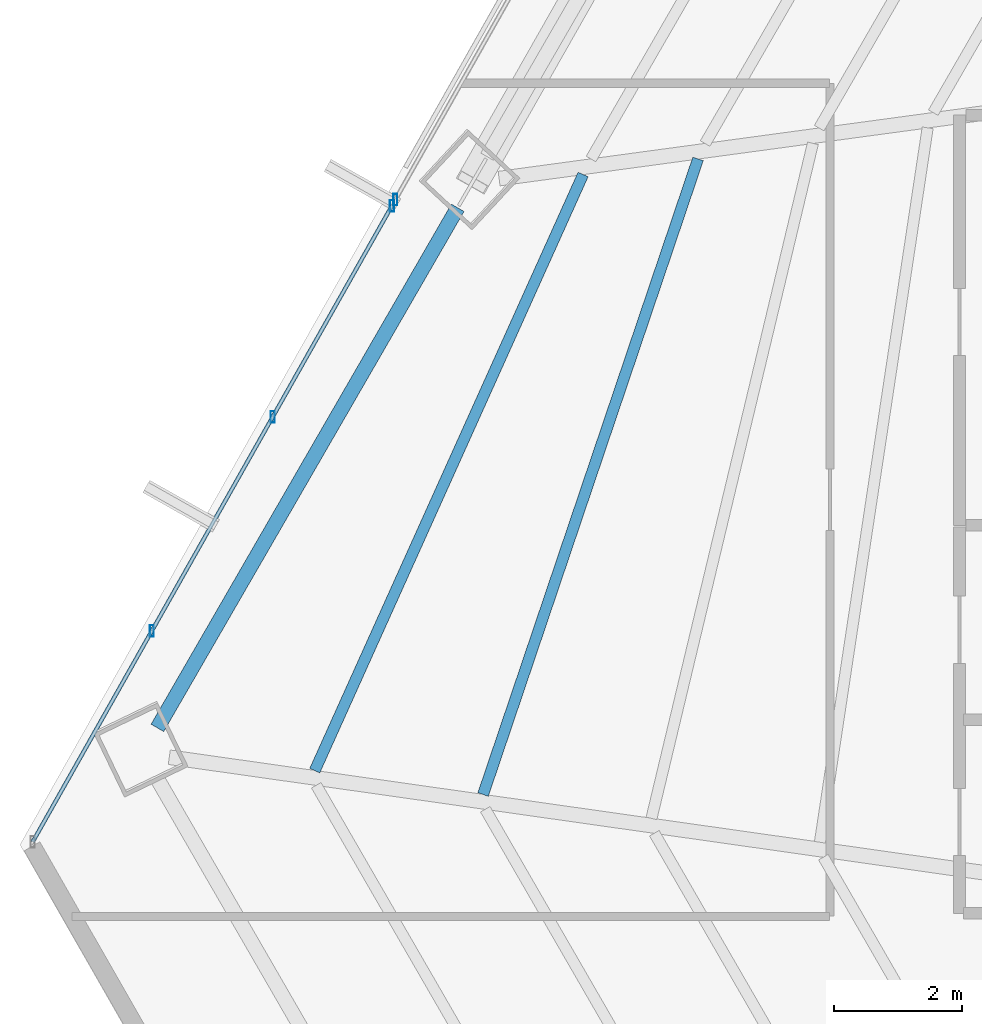
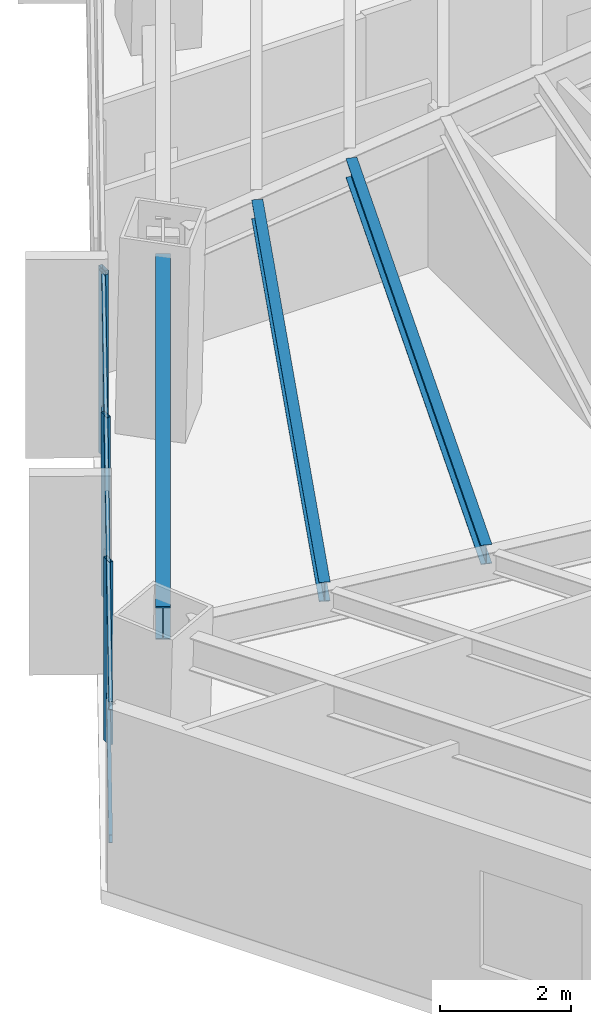
# One storey, part 11 of 36: 6 members, 3 beams, 2 elements without a shape of their own.
"""IFC4 building model written with IfcOpenShell, lengths in metres."""

from ifc_helpers import new_model, si_unit, direction, frame, origin, origin_2d, place, context, subcontext, project, spatial, hollow_rectangle, i_section, extrude, source, transform, mapped, material, material_profile, profile_set, type_object, type_shapes, element, aggregate, save


model = new_model("IFC4")

# Units and contexts
model_context = context("Model", 3, precision=1e-05, world=origin(), true_north=direction((0.0, 1.0)))
body_context = subcontext(model_context, "Body", "Model", "MODEL_VIEW")
ifc_project = project(units=[si_unit("LENGTHUNIT", "METRE"), si_unit("AREAUNIT", "SQUARE_METRE"), si_unit("VOLUMEUNIT", "CUBIC_METRE"), si_unit("PLANEANGLEUNIT", "RADIAN"), si_unit("MASSUNIT", "GRAM", prefix="KILO")], contexts=[model_context])

# Site, building, storey
site_placement = place(None, origin())
site = spatial("IfcSite", under=ifc_project, at=site_placement, CompositionType="ELEMENT")
building_placement = place(site_placement, origin())
building = spatial("IfcBuilding", under=site, at=building_placement, Name="Caelisora Broadcast Tower", CompositionType="ELEMENT")
storey_placement = place(building_placement, frame((0.0, 0.0, 83.5)))
storey = spatial("IfcBuildingStorey", under=building, at=storey_placement, Name="L21", CompositionType="ELEMENT", Elevation=83.5)

# Beams
ifc_material_1 = material(Name="Steel Grade 350 (AS/NZS 3679.1)", Category="steel")
ifc_material_profile_1 = material_profile(ifc_material_1, i_section(OverallWidth=0.22900390625, OverallDepth=0.611572265625, WebThickness=0.011962890625, FlangeThickness=0.01953125, at=origin_2d()), Name="Steel Grade 350 (AS/NZS 3679.1)")
ifc_profile_set_1 = profile_set([ifc_material_profile_1], Name="Steel Grade 350 (AS/NZS 3679.1)")
beam_type_1 = type_object("IfcBeamType", Name="PG03", PredefinedType="BEAM", material=ifc_profile_set_1)
shared_shape_1 = source(origin(), body_context, "Body", "SweptSolid", [
    extrude(i_section(OverallWidth=0.22900390625, OverallDepth=0.611572265625, WebThickness=0.011962890625, FlangeThickness=0.01953125, at=origin_2d()), origin(), (0.0, 0.0, 1.0), 9.36962890625),
])
type_shapes(beam_type_1, [shared_shape_1])
beam_1_placement = place(storey_placement, frame((19.59130859375, 28.15625, 3.09423828125), z_axis=(-0.500003643774, -0.86602330004, 0.0), x_axis=(0.86602330004, -0.500003643774, 0.0)))
element("IfcBeam", 1, at=beam_1_placement, inside=storey, type_object=beam_type_1, Name="L21 beam PG03", PredefinedType="BEAM", context=body_context, shape_type="MappedRepresentation", body=[
    mapped(shared_shape_1, transform((0.0, 0.0, 0.0), scale=1.0)),
])
ifc_material_profile_2 = material_profile(ifc_material_1, i_section(OverallWidth=0.172119140625, OverallDepth=0.358642578125, WebThickness=0.008056640625, FlangeThickness=0.012939453125, at=origin_2d()), Name="Steel Grade 350 (AS/NZS 3679.1)")
ifc_profile_set_2 = profile_set([ifc_material_profile_2], Name="Steel Grade 350 (AS/NZS 3679.1)")
beam_type_2 = type_object("IfcBeamType", Name="SB02", PredefinedType="JOIST", material=ifc_profile_set_2)
shared_shape_2 = source(origin(), body_context, "Body", "SweptSolid", [
    extrude(i_section(OverallWidth=0.172119140625, OverallDepth=0.358642578125, WebThickness=0.008056640625, FlangeThickness=0.012939453125, at=origin_2d()), origin(), (0.0, 0.0, 1.0), 10.4677734375),
])
beam_2_placement = place(storey_placement, frame((23.341064453125, 28.918701171875, 3.220703125), z_axis=(-0.320387874312, -0.947286445588, 0.0), x_axis=(0.947286445588, -0.320387874312, 0.0)))
element("IfcBeam", 2, at=beam_2_placement, inside=storey, type_object=beam_type_2, Name="L21 beam SB02", PredefinedType="JOIST", context=body_context, shape_type="MappedRepresentation", body=[
    mapped(shared_shape_2, transform((0.0, 0.0, 0.0), scale=1.0)),
])
shared_shape_3 = source(origin(), body_context, "Body", "SweptSolid", [
    extrude(i_section(OverallWidth=0.172119140625, OverallDepth=0.358642578125, WebThickness=0.008056640625, FlangeThickness=0.012939453125, at=origin_2d()), origin(), (0.0, 0.0, 1.0), 10.19921875),
])
type_shapes(beam_type_2, [shared_shape_2, shared_shape_3])
beam_3_placement = place(storey_placement, frame((21.54736328125, 28.67578125, 3.220703125), z_axis=(-0.410429371769, -0.911892389918, 0.0), x_axis=(0.911892389918, -0.410429371769, 0.0)))
element("IfcBeam", 3, at=beam_3_placement, inside=storey, type_object=beam_type_2, Name="L21 beam SB02", PredefinedType="JOIST", context=body_context, shape_type="MappedRepresentation", body=[
    mapped(shared_shape_3, transform((0.0, 0.0, 0.0), scale=1.0)),
])

# Curtain wall, members
ifc_material_2 = material(Name="Unitised Aluminium and Low-E Glass Curtain Wall", Category="glass")
curtain_wall_type_1 = type_object("IfcCurtainWallType", Name="CW-Z2", PredefinedType="NOTDEFINED", material=ifc_material_2)
curtain_wall_1_placement = place(storey_placement, origin())
curtain_wall_1 = element("IfcCurtainWall", 4, at=curtain_wall_1_placement, inside=storey, type_object=curtain_wall_type_1, Name="L21 curtain wall CW-Z2", PredefinedType="NOTDEFINED")
ifc_material_3 = material(Name="Aluminium 6063-T6 Anodised Terracotta Bronze", Category="aluminium")
ifc_material_profile_3 = material_profile(ifc_material_3, hollow_rectangle(XDim=0.06494140625, YDim=0.179931640625, WallThickness=0.00341796875, at=origin_2d()), Name="Aluminium 6063-T6 Anodised Terracotta Bronze")
ifc_profile_set_3 = profile_set([ifc_material_profile_3], Name="Aluminium 6063-T6 Anodised Terracotta Bronze")
member_type_1 = type_object("IfcMemberType", Name="CWM-02", PredefinedType="MULLION", material=ifc_profile_set_3)
shared_shape_4 = source(origin(), body_context, "Body", "SweptSolid", [
    extrude(hollow_rectangle(XDim=0.06494140625, YDim=0.179931640625, WallThickness=0.00341796875, at=origin_2d()), origin(), (0.0, 0.0, 1.0), 3.39990234375),
])
type_shapes(member_type_1, [shared_shape_4])
member_1_placement = place(storey_placement, frame((14.82080078125, 21.556884765625, 0.0), z_axis=(0.0, 0.0, 1.0), x_axis=(1.0, 0.0, 0.0)))
member_1 = element("IfcMember", 5, at=member_1_placement, type_object=member_type_1, Name="L21-CW-B09 mullion #1", PredefinedType="MULLION", context=body_context, shape_type="MappedRepresentation", body=[
    mapped(shared_shape_4, transform((0.0, 0.0, 0.0), scale=1.0)),
])
member_2_placement = place(storey_placement, frame((16.705322265625, 24.893798828125, 0.0), z_axis=(0.0, 0.0, 1.0), x_axis=(1.0, 0.0, 0.0)))
member_2 = element("IfcMember", 6, at=member_2_placement, type_object=member_type_1, Name="L21-CW-B09 mullion #2", PredefinedType="MULLION", context=body_context, shape_type="MappedRepresentation", body=[
    mapped(shared_shape_4, transform((0.0, 0.0, 0.0), scale=1.0)),
])
member_3_placement = place(storey_placement, frame((18.5654296875, 28.18701171875, 0.0), z_axis=(0.0, 0.0, 1.0), x_axis=(1.0, 0.0, 0.0)))
member_3 = element("IfcMember", 7, at=member_3_placement, type_object=member_type_1, Name="L21-CW-B09 mullion #3", PredefinedType="MULLION", context=body_context, shape_type="MappedRepresentation", body=[
    mapped(shared_shape_4, transform((0.0, 0.0, 0.0), scale=1.0)),
])

# Curtain wall, member
ifc_material_4 = material(Name="Unitised Aluminium Insulated Shadow-Box Spandrel Curtain Wall", Category="aluminium")
curtain_wall_type_2 = type_object("IfcCurtainWallType", Name="CW-SP1", PredefinedType="NOTDEFINED", material=ifc_material_4)
curtain_wall_2_placement = place(storey_placement, origin())
curtain_wall_2 = element("IfcCurtainWall", 8, at=curtain_wall_2_placement, inside=storey, type_object=curtain_wall_type_2, Name="L21 curtain wall CW-SP1", PredefinedType="NOTDEFINED")
member_4_placement = place(storey_placement, frame((18.619384765625, 28.28271484375, 0.0), z_axis=(0.0, 0.0, 1.0), x_axis=(1.0, 0.0, 0.0)))
member_4 = element("IfcMember", 9, at=member_4_placement, type_object=member_type_1, Name="L21-CW-B10 mullion #0", PredefinedType="MULLION", context=body_context, shape_type="MappedRepresentation", body=[
    mapped(shared_shape_4, transform((0.0, 0.0, 0.0), scale=1.0)),
])
aggregate(curtain_wall_2, [member_4])

# Member
ifc_material_profile_4 = material_profile(ifc_material_3, hollow_rectangle(XDim=0.06005859375, YDim=0.14990234375, WallThickness=0.00341796875, at=origin_2d()), Name="Aluminium 6063-T6 Anodised Terracotta Bronze")
ifc_profile_set_4 = profile_set([ifc_material_profile_4], Name="Aluminium 6063-T6 Anodised Terracotta Bronze")
member_type_2 = type_object("IfcMemberType", Name="CWT-02", PredefinedType="USERDEFINED", material=ifc_profile_set_4)
shared_shape_5 = source(origin(), body_context, "Body", "SweptSolid", [
    extrude(hollow_rectangle(XDim=0.06005859375, YDim=0.14990234375, WallThickness=0.00341796875, at=origin_2d()), origin(), (0.0, 0.0, 1.0), 11.39697265625),
])
type_shapes(member_type_2, [shared_shape_5])
member_5_placement = place(storey_placement, frame((12.960693359375, 18.263427734375, 0.85009765625), z_axis=(0.491774883504, 0.870722380529, 0.0), x_axis=(-0.870722380529, 0.491774883504, 0.0)))
member_5 = element("IfcMember", 10, at=member_5_placement, type_object=member_type_2, Name="L21-CW-B09 transom #1", ObjectType="TRANSOM", PredefinedType="USERDEFINED", context=body_context, shape_type="MappedRepresentation", body=[
    mapped(shared_shape_5, transform((0.0, 0.0, 0.0), scale=1.0)),
])

member_6_placement = place(storey_placement, frame((12.960693359375, 18.263427734375, 3.320068359375), z_axis=(0.491774883504, 0.870722380529, 0.0), x_axis=(-0.870722380529, 0.491774883504, 0.0)))
member_6 = element("IfcMember", 11, at=member_6_placement, type_object=member_type_2, Name="L21-CW-B09 transom #2", ObjectType="TRANSOM", PredefinedType="USERDEFINED", context=body_context, shape_type="MappedRepresentation", body=[
    mapped(shared_shape_5, transform((0.0, 0.0, 0.0), scale=1.0)),
])

aggregate(curtain_wall_1, [member_1, member_2, member_3, member_5, member_6])

save(model, "model.ifc")
